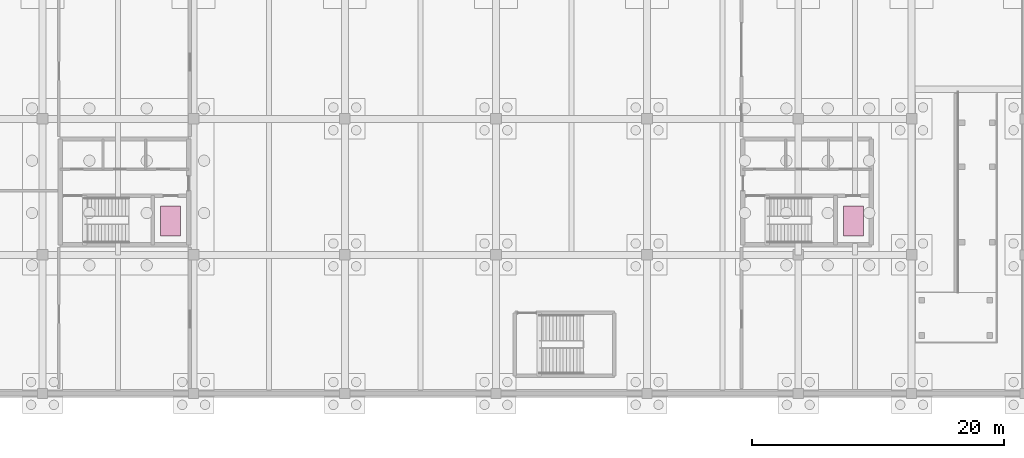
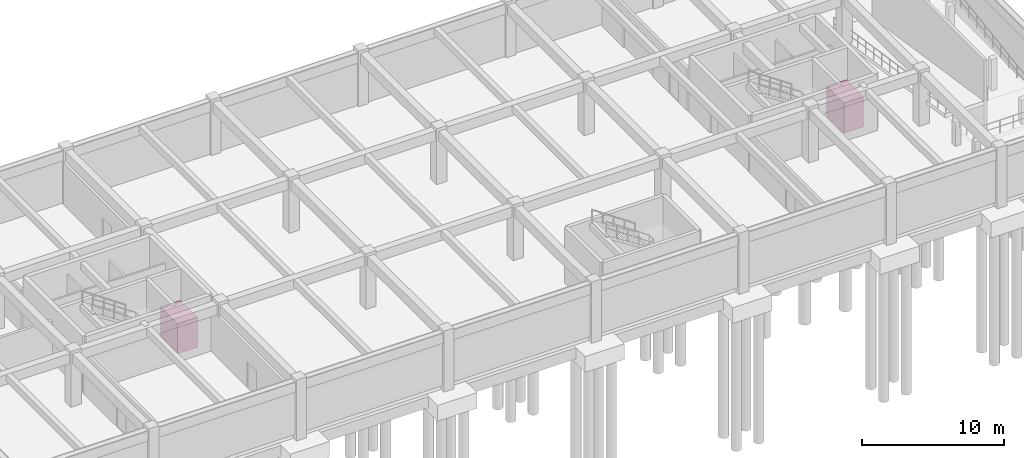
# One storey, part 8 of 8: 2 transport elements.
"""IFC4 building model written with IfcOpenShell, lengths in metres."""

from ifc_helpers import new_model, si_unit, derived_unit, direction, frame, origin, origin_2d, place, context, subcontext, project, spatial, rectangle, extrude, material, type_object, element, save


model = new_model("IFC4")

# Units and contexts
model_context = context("Model", 3, precision=1e-05, world=origin(), true_north=direction((0.0, 1.0)))
body_context = subcontext(model_context, "Body", "Model", "MODEL_VIEW")
ifc_project = project(units=[si_unit("LENGTHUNIT", "METRE"), si_unit("AREAUNIT", "SQUARE_METRE"), si_unit("VOLUMEUNIT", "CUBIC_METRE"), si_unit("PLANEANGLEUNIT", "RADIAN"), si_unit("MASSUNIT", "GRAM", prefix="KILO"), derived_unit("THERMALTRANSMITTANCEUNIT", [(si_unit("POWERUNIT", "WATT"), 1), (si_unit("LENGTHUNIT", "METRE"), -2), (si_unit("THERMODYNAMICTEMPERATUREUNIT", "KELVIN"), -1)])], contexts=[model_context])

# Site, building, storey
site_placement = place(None, origin())
site = spatial("IfcSite", under=ifc_project, at=site_placement, CompositionType="ELEMENT")
building_placement = place(site_placement, origin())
building = spatial("IfcBuilding", under=site, at=building_placement, Name="Almenara Railside Exhibition Hall", CompositionType="ELEMENT")
storey_placement = place(building_placement, frame((0.0, 0.0, -4.800048828125)))
storey = spatial("IfcBuildingStorey", under=building, at=storey_placement, Name="B1", CompositionType="ELEMENT", Elevation=-4.800048828125)

# Transport elements
ifc_material = material(Name="Brushed stainless steel lift car", Category="steel")
transport_element_type = type_object("IfcTransportElementType", Name="Firefighting and Stretcher Lift 1600x2400", PredefinedType="ELEVATOR", material=ifc_material)
for number, where, z_axis, x_axis, name in (
    (1, (136.175048828125, 13.699951171875, 0.0), (0.0, 0.0, 1.0), (1.0, 0.0, 0.0), "Lift LF-01"),
    (2, (190.375, 13.699951171875, 0.0), (0.0, 0.0, 1.0), (1.0, 0.0, 0.0), "Lift LF-02"),
):
    element("IfcTransportElement", number, at=place(storey_placement, frame(where, z_axis=z_axis, x_axis=x_axis)), inside=storey, type_object=transport_element_type, Name=name, PredefinedType="ELEVATOR", context=body_context, shape_type="SweptSolid", body=[
        extrude(rectangle(XDim=1.60009765625, YDim=2.39990234375, at=origin_2d()), origin(), (0.0, 0.0, 1.0), 2.60009765625),
    ])

save(model, "model.ifc")
